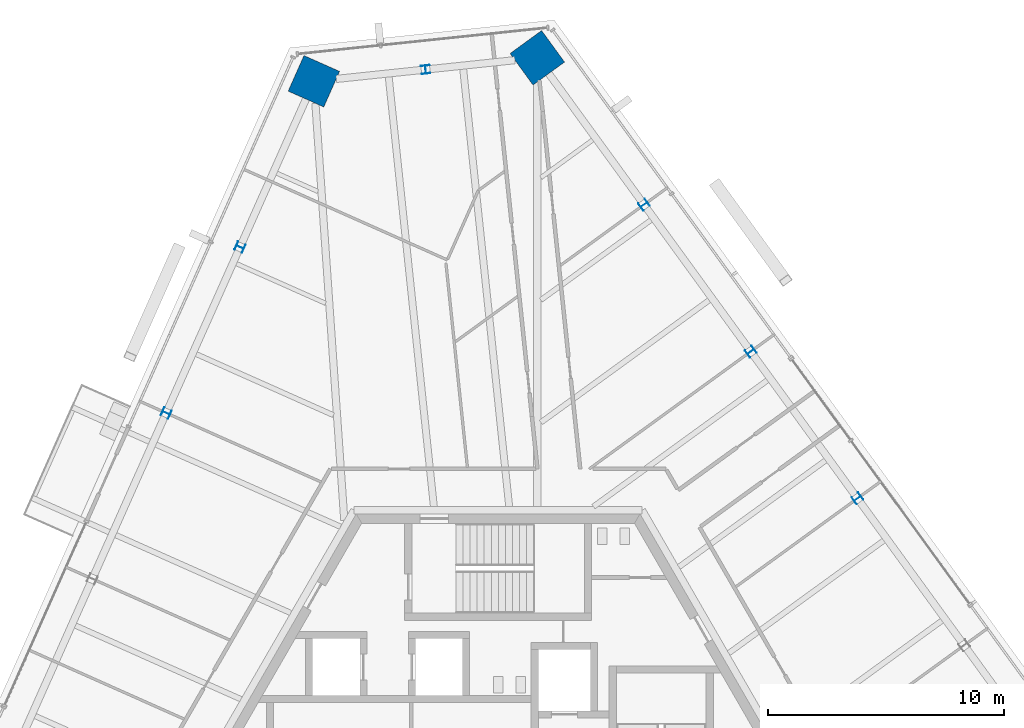
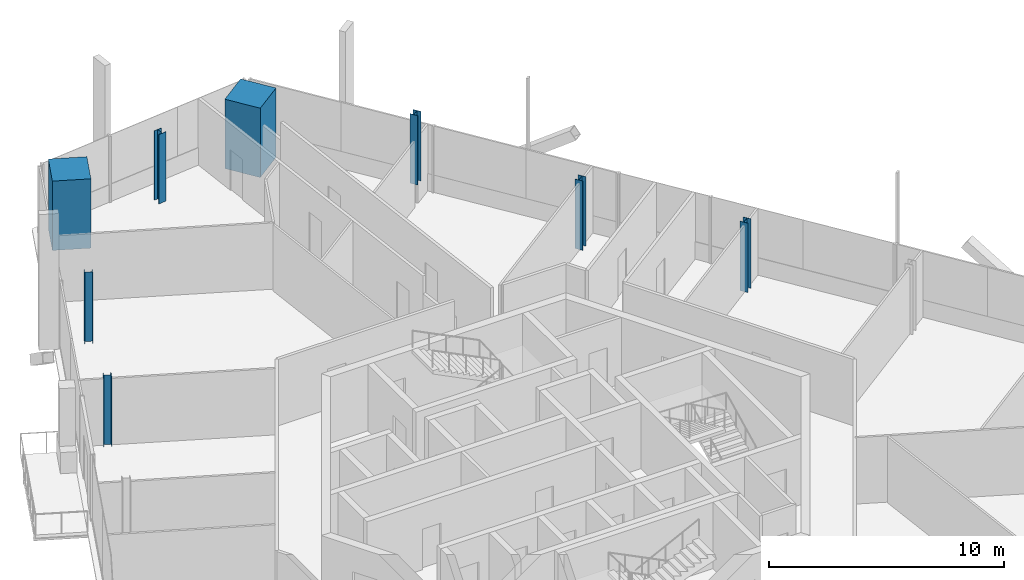
# One storey, part 3 of 20: 8 columns.
"""IFC4 building model written with IfcOpenShell, lengths in metres."""

import ifcopenshell
import ifcopenshell.guid

model = None  # the IFC model being written
_history = None  # IfcOwnerHistory: only IFC2X3 demands one
_inside = {}  # id of a spatial element -> (the spatial element, [elements in it])
_under = {}  # id of a project, library or spatial element -> (it, [spatial elements below it])
_declared = {}  # id of a project -> (the project, [libraries it declares])
_typed = {}  # id of a type object -> (the type object, [elements of that type])
_made_of = {}  # id of a material, layer set ... -> (it, [elements and type objects made of it])


def new_model(schema):
    """Start an empty IFC model of exactly this schema.

    Asked for "IFC4X3", IfcOpenShell would pick the latest addendum, in which some entities
    have other attributes; the version numbers below select the first issue.
    IFC2X3 requires an IfcOwnerHistory on every rooted entity: one is made here for all.
    """
    global model, _history
    if schema == "IFC4X3":
        model = ifcopenshell.file(schema_version=(4, 3, 0, 0))
    else:
        model = ifcopenshell.file(schema=schema)
    _inside.clear()
    _under.clear()
    _declared.clear()
    _typed.clear()
    _made_of.clear()
    _history = None
    if model.schema == "IFC2X3":
        org = make("IfcOrganization", Name="unknown")
        user = make(
            "IfcPersonAndOrganization",
            ThePerson=make("IfcPerson", FamilyName="unknown"),
            TheOrganization=org,
        )
        app = make(
            "IfcApplication",
            ApplicationDeveloper=org,
            Version="unknown",
            ApplicationFullName="unknown",
            ApplicationIdentifier="unknown",
        )
        _history = make(
            "IfcOwnerHistory",
            OwningUser=user,
            OwningApplication=app,
            ChangeAction="ADDED",
            CreationDate=0,
        )
    return model


def make(cls, **values):
    """One entity of the class cls with the attributes given. An attribute that is None is left unset."""
    return model.create_entity(
        cls, **{name: value for name, value in values.items() if value is not None}
    )


def rooted(cls, **values):
    """An entity with a GlobalId (a new one), such as an element, a storey or a relation."""
    return make(cls, GlobalId=ifcopenshell.guid.new(), OwnerHistory=_history, **values)


def si_unit(unit_type, name, prefix=None):
    """IfcSIUnit, for example si_unit("LENGTHUNIT", "METRE", prefix="MILLI")."""
    return make("IfcSIUnit", UnitType=unit_type, Prefix=prefix, Name=name)


def assignment(units):
    """IfcUnitAssignment: the units of a project."""
    return None if units is None else make("IfcUnitAssignment", Units=units)


def point(xyz):
    """IfcCartesianPoint."""
    return None if xyz is None else make("IfcCartesianPoint", Coordinates=xyz)


def direction(xyz):
    """IfcDirection."""
    return None if xyz is None else make("IfcDirection", DirectionRatios=xyz)


def frame(location, z_axis=None, x_axis=None):
    """IfcAxis2Placement3D, a coordinate frame: its origin and axes. An axis left out is left unset."""
    return make(
        "IfcAxis2Placement3D",
        Location=point(location),
        Axis=direction(z_axis),
        RefDirection=direction(x_axis),
    )


def frame_2d(location, x_axis=None):
    """IfcAxis2Placement2D, a coordinate frame in the plane: its origin and x axis."""
    return make(
        "IfcAxis2Placement2D", Location=point(location), RefDirection=direction(x_axis)
    )


def origin():
    """The frame at (0, 0, 0) with its axes left unset."""
    return frame((0.0, 0.0, 0.0))


def origin_2d():
    """The frame at (0, 0) in the plane with its x axis left unset."""
    return frame_2d((0.0, 0.0))


def place(relative_to, where):
    """IfcLocalPlacement: puts the frame where relative to a parent placement (None: the world)."""
    return make(
        "IfcLocalPlacement", PlacementRelTo=relative_to, RelativePlacement=where
    )


def context(
    kind, dimensions, precision=None, world=None, true_north=None, identifier=None
):
    """IfcGeometricRepresentationContext, for example the 3D "Model" context."""
    return make(
        "IfcGeometricRepresentationContext",
        ContextIdentifier=identifier,
        ContextType=kind,
        CoordinateSpaceDimension=dimensions,
        Precision=precision,
        WorldCoordinateSystem=world,
        TrueNorth=true_north,
    )


def subcontext(parent, identifier, kind, view, scale=None):
    """IfcGeometricRepresentationSubContext, for example "Body" below "Model"."""
    return make(
        "IfcGeometricRepresentationSubContext",
        ContextIdentifier=identifier,
        ContextType=kind,
        ParentContext=parent,
        TargetScale=scale,
        TargetView=view,
    )


def project(units=None, contexts=None):
    """IfcProject with its units and contexts."""
    return rooted(
        "IfcProject",
        Name="project",
        RepresentationContexts=contexts,
        UnitsInContext=assignment(units),
    )


def spatial(cls, under=None, at=None, **own):
    """A site, building, storey or space (cls), placed at a placement, below another one or the project."""
    s = rooted(cls, ObjectPlacement=at, **own)
    if under is not None:
        _under.setdefault(under.id(), (under, []))[1].append(s)
    return s


def profile(cls, at=None, kind="AREA", **sizes):
    """A parametric profile (cls). Its sizes go by their IFC names, for example OverallWidth=200.0."""
    return make(cls, ProfileType=kind, Position=at, **sizes)


def rectangle(**sizes):
    """IfcRectangleProfileDef."""
    return profile("IfcRectangleProfileDef", **sizes)


def i_section(**sizes):
    """IfcIShapeProfileDef."""
    return profile("IfcIShapeProfileDef", **sizes)


def extrude(swept, where, along, depth):
    """IfcExtrudedAreaSolid: the profile swept, set in the frame where, extruded along a direction by depth."""
    return make(
        "IfcExtrudedAreaSolid",
        SweptArea=swept,
        Position=where,
        ExtrudedDirection=direction(along),
        Depth=depth,
    )


def shape(context_of_items, identifier, shape_type, items):
    """IfcShapeRepresentation: the items that make up one representation, for example the "Body"."""
    return make(
        "IfcShapeRepresentation",
        ContextOfItems=context_of_items,
        RepresentationIdentifier=identifier,
        RepresentationType=shape_type,
        Items=items,
    )


def source(mapping_origin, context_of_items, identifier, shape_type, items):
    """IfcRepresentationMap: a shape defined once, which mapped items show again and again."""
    return make(
        "IfcRepresentationMap",
        MappingOrigin=mapping_origin,
        MappedRepresentation=shape(context_of_items, identifier, shape_type, items),
    )


def transform(
    local_origin,
    x_axis=None,
    y_axis=None,
    z_axis=None,
    scale=None,
    scale2=None,
    scale3=None,
    uniform=True,
):
    """IfcCartesianTransformationOperator3D, or its non-uniform kind. x_axis, y_axis, z_axis: its Axis1, 2, 3."""
    if uniform:
        return make(
            "IfcCartesianTransformationOperator3D",
            Axis1=direction(x_axis),
            Axis2=direction(y_axis),
            LocalOrigin=point(local_origin),
            Scale=scale,
            Axis3=direction(z_axis),
        )
    return make(
        "IfcCartesianTransformationOperator3DnonUniform",
        Axis1=direction(x_axis),
        Axis2=direction(y_axis),
        LocalOrigin=point(local_origin),
        Scale=scale,
        Axis3=direction(z_axis),
        Scale2=scale2,
        Scale3=scale3,
    )


def mapped(mapping_source, mapping_target):
    """IfcMappedItem: shows the shape of a source again, moved by a transform."""
    return make(
        "IfcMappedItem", MappingSource=mapping_source, MappingTarget=mapping_target
    )


def material(Name=None, Category=None):
    """IfcMaterial."""
    return make("IfcMaterial", Name=Name, Category=Category)


def material_profile(
    of_material, cross_section, Name=None, Category=None, Priority=None
):
    """IfcMaterialProfile: a cross section and its material."""
    return make(
        "IfcMaterialProfile",
        Name=Name,
        Material=of_material,
        Profile=cross_section,
        Priority=Priority,
        Category=Category,
    )


def profile_set(profiles, Name=None, composite=None):
    """IfcMaterialProfileSet."""
    return make(
        "IfcMaterialProfileSet",
        Name=Name,
        MaterialProfiles=profiles,
        CompositeProfile=composite,
    )


def made_of(thing, what):
    """Note that an element or type object is made of a material, layer set ...; save() writes the relation."""
    if what is not None:
        _made_of.setdefault(what.id(), (what, []))[1].append(thing)
    return thing


def type_object(cls, material=None, **own):
    """A type object (cls), such as IfcWallType, which elements share."""
    return made_of(rooted(cls, **own), material)


def element(
    cls,
    number,
    at=None,
    inside=None,
    cuts=None,
    type_object=None,
    material=None,
    context=None,
    identifier="Body",
    shape_type=None,
    held_by="IfcProductDefinitionShape",
    body=None,
    shapes=None,
    **own,
):
    """One element of the class cls, such as IfcWall. Its Tag is "e" and its number.

    at: its placement. inside: the storey or other place that contains it. cuts: it is an
    opening in that element (IfcRelVoidsElement). A single representation is given by context,
    identifier, shape_type and body (its items); several are given by shapes. held_by: the class
    of the entity that holds the representations. save() writes the other relations.
    """
    e = rooted(cls, Tag="e%d" % number, ObjectPlacement=at, **own)
    if body is not None:
        shapes = [shape(context, identifier, shape_type, body)]
    if shapes is not None:
        e.Representation = make(held_by, Representations=shapes)
    if inside is not None:
        _inside.setdefault(inside.id(), (inside, []))[1].append(e)
    if cuts is not None:
        rooted(
            "IfcRelVoidsElement", RelatingBuildingElement=cuts, RelatedOpeningElement=e
        )
    if type_object is not None:
        _typed.setdefault(type_object.id(), (type_object, []))[1].append(e)
    return made_of(e, material)


def aggregate(whole, parts):
    """IfcRelAggregates: a whole, such as a stair, and the parts it consists of."""
    return rooted("IfcRelAggregates", RelatingObject=whole, RelatedObjects=parts)


def save(model, path):
    """Write the relations noted so far, then the file.

    IfcRelAggregates (storeys below a building ...), IfcRelContainedInSpatialStructure (elements
    in a storey), IfcRelDefinesByType, IfcRelAssociatesMaterial and IfcRelDeclares: one each for
    every whole, place, type object, material and project.
    """
    for whole, parts in _under.values():
        aggregate(whole, parts)
    for where, things in _inside.values():
        rooted(
            "IfcRelContainedInSpatialStructure",
            RelatedElements=things,
            RelatingStructure=where,
        )
    for kind, things in _typed.values():
        rooted("IfcRelDefinesByType", RelatedObjects=things, RelatingType=kind)
    for what, things in _made_of.values():
        rooted("IfcRelAssociatesMaterial", RelatedObjects=things, RelatingMaterial=what)
    for by, libraries in _declared.values():
        rooted("IfcRelDeclares", RelatingContext=by, RelatedDefinitions=libraries)
    model.write(path)


model = new_model("IFC4")

# Units and contexts
model_context = context("Model", 3, precision=1e-05, world=origin(), true_north=direction((0.0, 1.0)))
body_context = subcontext(model_context, "Body", "Model", "MODEL_VIEW")
ifc_project = project(units=[si_unit("LENGTHUNIT", "METRE"), si_unit("AREAUNIT", "SQUARE_METRE"), si_unit("VOLUMEUNIT", "CUBIC_METRE"), si_unit("PLANEANGLEUNIT", "RADIAN"), si_unit("MASSUNIT", "GRAM", prefix="KILO")], contexts=[model_context])

# Site, building, storey
site_placement = place(None, origin())
site = spatial("IfcSite", under=ifc_project, at=site_placement, CompositionType="ELEMENT")
building_placement = place(site_placement, origin())
building = spatial("IfcBuilding", under=site, at=building_placement, Name="Triune Harvest Tower", CompositionType="ELEMENT")
storey_placement = place(building_placement, frame((0.0, 0.0, 226.89990234375)))
storey = spatial("IfcBuildingStorey", under=building, at=storey_placement, Name="L59", CompositionType="ELEMENT", Elevation=226.89990234375)

# Columns
ifc_material_1 = material(Name="Steel ASTM A992 Gr 50", Category="steel")
ifc_material_profile_1 = material_profile(ifc_material_1, i_section(OverallWidth=0.368408203125, OverallDepth=0.355712890625, WebThickness=0.01123046875, FlangeThickness=0.01806640625, at=origin_2d()), Name="W14x90")
ifc_profile_set_1 = profile_set([ifc_material_profile_1], Name="Steel ASTM A992 Gr 50")
column_type_1 = type_object("IfcColumnType", Name="PC-6 Perimeter column W14x90", PredefinedType="COLUMN", material=ifc_profile_set_1)
shared_shape_1 = source(origin(), body_context, "Body", "SweptSolid", [
    extrude(i_section(OverallWidth=0.368408203125, OverallDepth=0.355712890625, WebThickness=0.01123046875, FlangeThickness=0.01806640625, at=origin_2d()), origin(), (0.0, 0.0, 1.0), 3.599853515625),
])
column_placement = place(storey_placement, frame((6.172119140625, 23.468994140625, 1.2001953125), z_axis=(0.0, 0.0, 1.0), x_axis=(-0.587785252292, 0.809016994375, 0.0)))
element("IfcColumn", 1, at=column_placement, inside=storey, type_object=column_type_1, Name="col/L59/P5", PredefinedType="COLUMN", context=body_context, shape_type="MappedRepresentation", body=[
    mapped(shared_shape_1, transform((0.0, 0.0, 0.0), scale=1.0)),
])
shared_shape_2 = source(origin(), body_context, "Body", "SweptSolid", [
    extrude(i_section(OverallWidth=0.368408203125, OverallDepth=0.355712890625, WebThickness=0.01123046875, FlangeThickness=0.01806640625, at=origin_2d()), origin(), (0.0, 0.0, 1.0), 3.60009765625),
])
for number, where, z_axis, x_axis, name in (
    (2, (15.19970703125, 11.043212890625, 0.0), (0.0, 0.0, 1.0), (-0.587785252292, 0.809016994375, 0.0), "col/L59/P3"),
    (3, (10.685791015625, 17.256103515625, 0.0), (0.0, 0.0, 1.0), (-0.587785252292, 0.809016994375, 0.0), "col/L59/P4"),
    (4, (-3.0673828125, 29.18505859375, 0.0), (0.0, 0.0, 1.0), (-0.994521895368, -0.104528463268, 0.0), "col/L59/P7"),
    (5, (-10.91650390625, 21.6728515625, 0.0), (0.0, 0.0, 1.0), (-0.406738237513, -0.913544747752, 0.0), "col/L59/P9"),
    (6, (-14.0400390625, 14.6572265625, 0.0), (0.0, 0.0, 1.0), (-0.406738237513, -0.913544747752, 0.0), "col/L59/P10"),
):
    element("IfcColumn", number, at=place(storey_placement, frame(where, z_axis=z_axis, x_axis=x_axis)), inside=storey, type_object=column_type_1, Name=name, PredefinedType="COLUMN", context=body_context, shape_type="MappedRepresentation", body=[
        mapped(shared_shape_2, transform((0.0, 0.0, 0.0), scale=1.0)),
    ])
ifc_material_2 = material(Name="Concrete 70 MPa", Category="concrete")
ifc_material_profile_2 = material_profile(ifc_material_2, rectangle(XDim=1.64990234375, YDim=1.64990234375, at=origin_2d()), Name="Composite 1650x1650")
ifc_profile_set_2 = profile_set([ifc_material_profile_2], Name="Concrete 70 MPa")
column_type_2 = type_object("IfcColumnType", Name="MC-6 Mega column Composite 1650x1650", PredefinedType="COLUMN", material=ifc_profile_set_2)
shared_shape_3 = source(origin(), body_context, "Body", "SweptSolid", [
    extrude(rectangle(XDim=1.64990234375, YDim=1.64990234375, at=origin_2d()), origin(), (0.0, 0.0, 1.0), 3.60009765625),
])
for number, where, z_axis, x_axis, name in (
    (7, (1.658203125, 29.681640625, 0.0), (0.0, 0.0, 1.0), (-0.587785252292, 0.809016994375, 0.0), "col/L59/M6"),
    (8, (-7.793212890625, 28.688232421875, 0.0), (0.0, 0.0, 1.0), (-0.406738237513, -0.913544747752, 0.0), "col/L59/M8"),
):
    element("IfcColumn", number, at=place(storey_placement, frame(where, z_axis=z_axis, x_axis=x_axis)), inside=storey, type_object=column_type_2, Name=name, PredefinedType="COLUMN", context=body_context, shape_type="MappedRepresentation", body=[
        mapped(shared_shape_3, transform((0.0, 0.0, 0.0), scale=1.0)),
    ])

save(model, "model.ifc")
